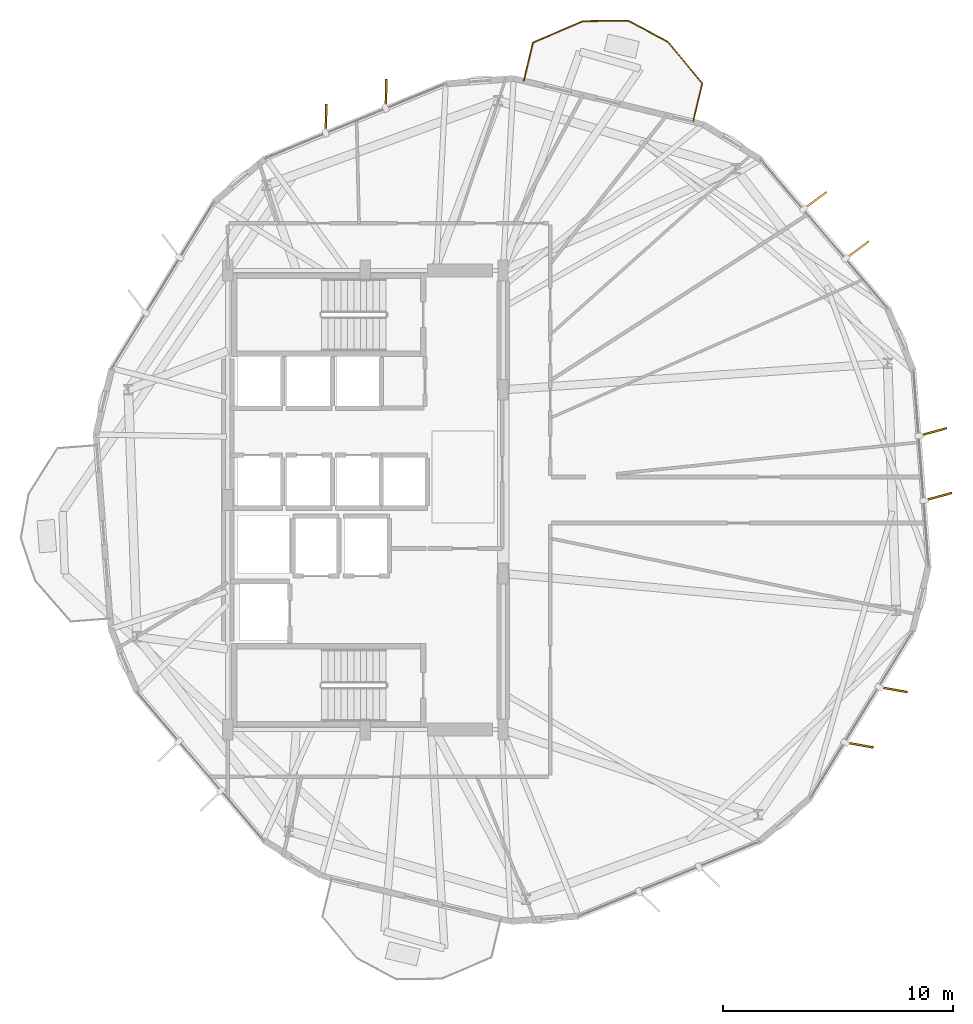
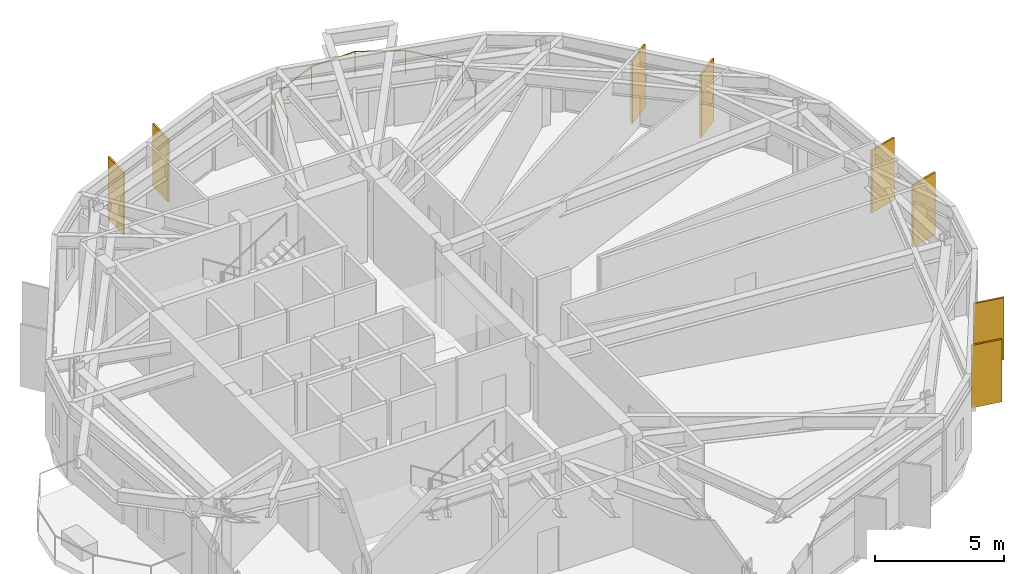
# One storey, part 21 of 21: 8 shading devices, 1 railing.
"""IFC4 building model written with IfcOpenShell, lengths in metres."""

from ifc_helpers import new_model, si_unit, direction, frame, origin, origin_2d, place, context, subcontext, project, spatial, rectangle, circle, extrude, material, layer, layer_set, type_object, element, save


model = new_model("IFC4")

# Units and contexts
model_context = context("Model", 3, precision=1e-05, world=origin(), true_north=direction((0.0, 1.0)))
body_context = subcontext(model_context, "Body", "Model", "MODEL_VIEW")
ifc_project = project(units=[si_unit("LENGTHUNIT", "METRE"), si_unit("AREAUNIT", "SQUARE_METRE"), si_unit("VOLUMEUNIT", "CUBIC_METRE"), si_unit("PLANEANGLEUNIT", "RADIAN"), si_unit("MASSUNIT", "GRAM", prefix="KILO")], contexts=[model_context])

# Site, building, storey
site_placement = place(None, origin())
site = spatial("IfcSite", under=ifc_project, at=site_placement, CompositionType="ELEMENT")
building_placement = place(site_placement, origin())
building = spatial("IfcBuilding", under=site, at=building_placement, Name="Soratama Intermodal Tower", CompositionType="ELEMENT")
storey_placement = place(building_placement, frame((0.0, 0.0, 114.699951171875)))
storey = spatial("IfcBuildingStorey", under=building, at=storey_placement, Name="L27", CompositionType="ELEMENT", Elevation=114.699951171875)

# Railing
ifc_material_1 = material(Name="Laminated glass and stainless steel balustrade", Category="steel")
railing_type = type_object("IfcRailingType", Name="RL-BAL-1150", PredefinedType="BALUSTRADE", material=ifc_material_1)
railing_placement = place(storey_placement, frame((45.49951171875, 43.258056640625, 0.0)))
element("IfcRailing", 1, at=railing_placement, inside=storey, type_object=railing_type, Name="L27 Balcony Balustrade 1", PredefinedType="BALUSTRADE", context=body_context, shape_type="SweptSolid", body=[
    extrude(circle(Radius=0.02392578125, at=origin_2d()), frame((0.0, 0.0, 1.1259765625), z_axis=(0.234376860673, 0.972145815802, 0.0), x_axis=(-0.972145815802, 0.234376860673, 0.0)), (0.0, 0.0, 1.0), 1.7197265625),
    extrude(circle(Radius=0.02392578125, at=origin_2d()), frame((0.403076171875, 1.671875, 1.1259765625), z_axis=(0.91943284607, 0.393247049026, 0.0), x_axis=(-0.393247049026, 0.91943284607, 0.0)), (0.0, 0.0, 1.0), 2.3671875),
    extrude(circle(Radius=0.02392578125, at=origin_2d()), frame((2.57958984375, 2.602783203125, 1.1259765625), z_axis=(0.999909386445, 0.013461756886, 0.0), x_axis=(-0.013461756886, 0.999909386445, 0.0)), (0.0, 0.0, 1.0), 1.958740234375),
    extrude(circle(Radius=0.02392578125, at=origin_2d()), frame((4.5380859375, 2.629150390625, 1.1259765625), z_axis=(0.883842483693, -0.467784634227, 0.0), x_axis=(0.467784634227, 0.883842483693, 0.0)), (0.0, 0.0, 1.0), 1.958740234375),
    extrude(circle(Radius=0.02392578125, at=origin_2d()), frame((6.269287109375, 1.712890625, 1.1259765625), z_axis=(0.639138913088, -0.769091314329, 0.0), x_axis=(0.769091314329, 0.639138913088, 0.0)), (0.0, 0.0, 1.0), 2.3671875),
    extrude(circle(Radius=0.02392578125, at=origin_2d()), frame((7.7822265625, -0.107666015625, 1.1259765625), z_axis=(-0.234478658752, -0.97212126743, 0.0), x_axis=(0.97212126743, -0.234478658752, 0.0)), (0.0, 0.0, 1.0), 1.719970703125),
    extrude(circle(Radius=0.02099609375, at=origin_2d()), origin(), (0.0, 0.0, 1.0), 1.101806640625),
    extrude(circle(Radius=0.02099609375, at=origin_2d()), frame((0.403076171875, 1.671875, 0.0)), (0.0, 0.0, 1.0), 1.101806640625),
    extrude(circle(Radius=0.02099609375, at=origin_2d()), frame((2.57958984375, 2.602783203125, 0.0)), (0.0, 0.0, 1.0), 1.101806640625),
    extrude(circle(Radius=0.02099609375, at=origin_2d()), frame((4.5380859375, 2.629150390625, 0.0)), (0.0, 0.0, 1.0), 1.101806640625),
    extrude(circle(Radius=0.02099609375, at=origin_2d()), frame((6.269287109375, 1.712890625, 0.0)), (0.0, 0.0, 1.0), 1.101806640625),
    extrude(circle(Radius=0.02099609375, at=origin_2d()), frame((7.7822265625, -0.107666015625, 0.0)), (0.0, 0.0, 1.0), 1.101806640625),
    extrude(circle(Radius=0.02099609375, at=origin_2d()), frame((7.37890625, -1.77978515625, 0.0)), (0.0, 0.0, 1.0), 1.101806640625),
])

# Shading devices
ifc_material_2 = material(Name="Champagne anodised aluminium solar fin", Category="aluminium")
ifc_layer = layer(ifc_material_2, 0.080078125)
ifc_layer_set = layer_set([ifc_layer], Name="Champagne anodised aluminium solar fin")
shading_device_type = type_object("IfcShadingDeviceType", Name="SH-FIN-1250", PredefinedType="USERDEFINED", material=ifc_layer_set)
for number, where, z_axis, x_axis, name in (
    (2, (60.03271484375, 35.897216796875, 0.02001953125), (0.0, 0.0, 1.0), (0.801879937297, 0.597485201625, 0.0), "L27 Solar Fin F01-1"),
    (3, (58.197021484375, 38.05126953125, 0.02001953125), (0.0, 0.0, 1.0), (0.801879937297, 0.597485201625, 0.0), "L27 Solar Fin F01-2"),
    (4, (39.50244140625, 42.6982421875, 0.02001953125), (0.0, 0.0, 1.0), (0.021989376093, 0.999758204437, 0.0), "L27 Solar Fin F03-1"),
    (5, (36.886474609375, 41.617919921875, 0.02001953125), (0.0, 0.0, 1.0), (0.021989376093, 0.999758204437, 0.0), "L27 Solar Fin F03-2"),
    (6, (60.11767578125, 14.329345703125, 0.02001953125), (0.0, 0.0, 1.0), (0.984257362243, -0.176741180461, 0.0), "L27 Solar Fin F09-1"),
    (7, (61.59912109375, 16.740966796875, 0.02001953125), (0.0, 0.0, 1.0), (0.984257362243, -0.176741180461, 0.0), "L27 Solar Fin F09-2"),
    (8, (63.5439453125, 25.142822265625, 0.02001953125), (0.0, 0.0, 1.0), (0.964372965275, 0.264546373717, 0.0), "L27 Solar Fin F10-1"),
    (9, (63.324951171875, 27.964599609375, 0.02001953125), (0.0, 0.0, 1.0), (0.964372965275, 0.264546373717, 0.0), "L27 Solar Fin F10-2"),
):
    element("IfcShadingDevice", number, at=place(storey_placement, frame(where, z_axis=z_axis, x_axis=x_axis)), inside=storey, type_object=shading_device_type, Name=name, ObjectType="FIN", PredefinedType="USERDEFINED", context=body_context, shape_type="SweptSolid", body=[
        extrude(rectangle(XDim=1.25, YDim=0.080078125, at=origin_2d()), origin(), (0.0, 0.0, 1.0), 2.958984375),
    ])

save(model, "model.ifc")
